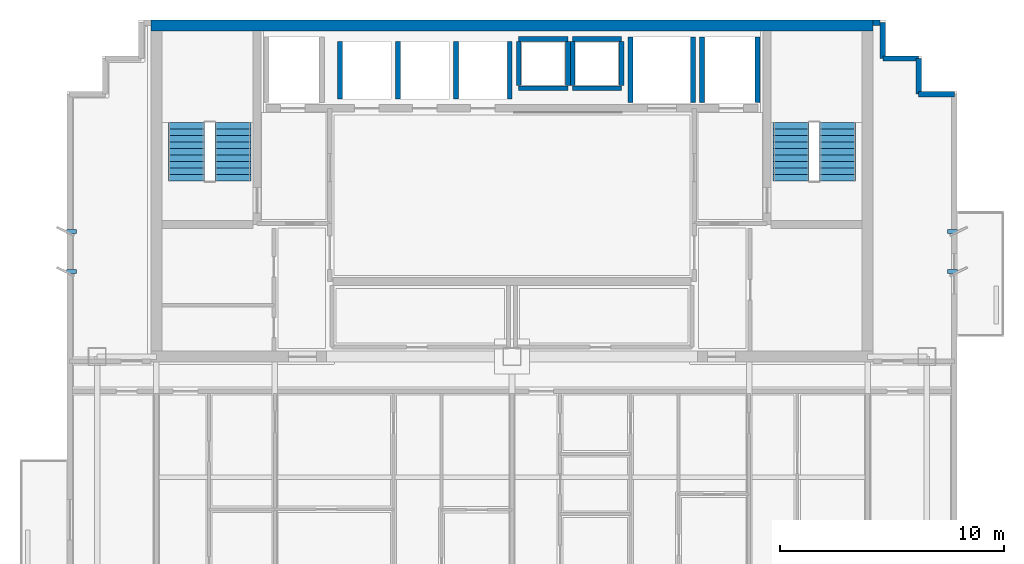
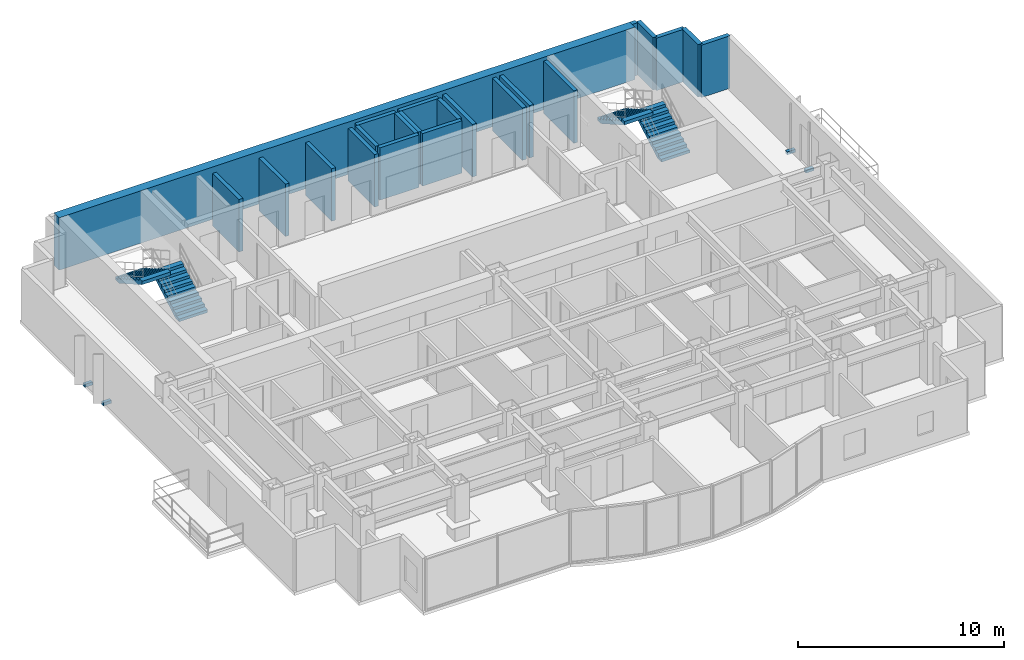
# One storey, part 7 of 9: 22 walls, 4 discrete accessories, 4 stair flights, 2 elements without a shape of their own.
"""IFC4 building model written with IfcOpenShell, lengths in metres."""

import ifcopenshell
import ifcopenshell.guid

model = None  # the IFC model being written
_history = None  # IfcOwnerHistory: only IFC2X3 demands one
_inside = {}  # id of a spatial element -> (the spatial element, [elements in it])
_under = {}  # id of a project, library or spatial element -> (it, [spatial elements below it])
_declared = {}  # id of a project -> (the project, [libraries it declares])
_typed = {}  # id of a type object -> (the type object, [elements of that type])
_made_of = {}  # id of a material, layer set ... -> (it, [elements and type objects made of it])


def new_model(schema):
    """Start an empty IFC model of exactly this schema.

    Asked for "IFC4X3", IfcOpenShell would pick the latest addendum, in which some entities
    have other attributes; the version numbers below select the first issue.
    IFC2X3 requires an IfcOwnerHistory on every rooted entity: one is made here for all.
    """
    global model, _history
    if schema == "IFC4X3":
        model = ifcopenshell.file(schema_version=(4, 3, 0, 0))
    else:
        model = ifcopenshell.file(schema=schema)
    _inside.clear()
    _under.clear()
    _declared.clear()
    _typed.clear()
    _made_of.clear()
    _history = None
    if model.schema == "IFC2X3":
        org = make("IfcOrganization", Name="unknown")
        user = make(
            "IfcPersonAndOrganization",
            ThePerson=make("IfcPerson", FamilyName="unknown"),
            TheOrganization=org,
        )
        app = make(
            "IfcApplication",
            ApplicationDeveloper=org,
            Version="unknown",
            ApplicationFullName="unknown",
            ApplicationIdentifier="unknown",
        )
        _history = make(
            "IfcOwnerHistory",
            OwningUser=user,
            OwningApplication=app,
            ChangeAction="ADDED",
            CreationDate=0,
        )
    return model


def make(cls, **values):
    """One entity of the class cls with the attributes given. An attribute that is None is left unset."""
    return model.create_entity(
        cls, **{name: value for name, value in values.items() if value is not None}
    )


def rooted(cls, **values):
    """An entity with a GlobalId (a new one), such as an element, a storey or a relation."""
    return make(cls, GlobalId=ifcopenshell.guid.new(), OwnerHistory=_history, **values)


def si_unit(unit_type, name, prefix=None):
    """IfcSIUnit, for example si_unit("LENGTHUNIT", "METRE", prefix="MILLI")."""
    return make("IfcSIUnit", UnitType=unit_type, Prefix=prefix, Name=name)


def assignment(units):
    """IfcUnitAssignment: the units of a project."""
    return None if units is None else make("IfcUnitAssignment", Units=units)


def point(xyz):
    """IfcCartesianPoint."""
    return None if xyz is None else make("IfcCartesianPoint", Coordinates=xyz)


def direction(xyz):
    """IfcDirection."""
    return None if xyz is None else make("IfcDirection", DirectionRatios=xyz)


def frame(location, z_axis=None, x_axis=None):
    """IfcAxis2Placement3D, a coordinate frame: its origin and axes. An axis left out is left unset."""
    return make(
        "IfcAxis2Placement3D",
        Location=point(location),
        Axis=direction(z_axis),
        RefDirection=direction(x_axis),
    )


def frame_2d(location, x_axis=None):
    """IfcAxis2Placement2D, a coordinate frame in the plane: its origin and x axis."""
    return make(
        "IfcAxis2Placement2D", Location=point(location), RefDirection=direction(x_axis)
    )


def origin():
    """The frame at (0, 0, 0) with its axes left unset."""
    return frame((0.0, 0.0, 0.0))


def origin_2d():
    """The frame at (0, 0) in the plane with its x axis left unset."""
    return frame_2d((0.0, 0.0))


def place(relative_to, where):
    """IfcLocalPlacement: puts the frame where relative to a parent placement (None: the world)."""
    return make(
        "IfcLocalPlacement", PlacementRelTo=relative_to, RelativePlacement=where
    )


def context(
    kind, dimensions, precision=None, world=None, true_north=None, identifier=None
):
    """IfcGeometricRepresentationContext, for example the 3D "Model" context."""
    return make(
        "IfcGeometricRepresentationContext",
        ContextIdentifier=identifier,
        ContextType=kind,
        CoordinateSpaceDimension=dimensions,
        Precision=precision,
        WorldCoordinateSystem=world,
        TrueNorth=true_north,
    )


def subcontext(parent, identifier, kind, view, scale=None):
    """IfcGeometricRepresentationSubContext, for example "Body" below "Model"."""
    return make(
        "IfcGeometricRepresentationSubContext",
        ContextIdentifier=identifier,
        ContextType=kind,
        ParentContext=parent,
        TargetScale=scale,
        TargetView=view,
    )


def project(units=None, contexts=None):
    """IfcProject with its units and contexts."""
    return rooted(
        "IfcProject",
        Name="project",
        RepresentationContexts=contexts,
        UnitsInContext=assignment(units),
    )


def spatial(cls, under=None, at=None, **own):
    """A site, building, storey or space (cls), placed at a placement, below another one or the project."""
    s = rooted(cls, ObjectPlacement=at, **own)
    if under is not None:
        _under.setdefault(under.id(), (under, []))[1].append(s)
    return s


def polyline(points):
    """IfcPolyline through the points."""
    return make("IfcPolyline", Points=[point(p) for p in points])


def profile(cls, at=None, kind="AREA", **sizes):
    """A parametric profile (cls). Its sizes go by their IFC names, for example OverallWidth=200.0."""
    return make(cls, ProfileType=kind, Position=at, **sizes)


def rectangle(**sizes):
    """IfcRectangleProfileDef."""
    return profile("IfcRectangleProfileDef", **sizes)


def outline(outer, holes=None, kind="AREA"):
    """IfcArbitraryClosedProfileDef: a profile drawn as a closed curve; with holes, ...WithVoids."""
    if holes is None:
        return make("IfcArbitraryClosedProfileDef", ProfileType=kind, OuterCurve=outer)
    return make(
        "IfcArbitraryProfileDefWithVoids",
        ProfileType=kind,
        OuterCurve=outer,
        InnerCurves=holes,
    )


def extrude(swept, where, along, depth):
    """IfcExtrudedAreaSolid: the profile swept, set in the frame where, extruded along a direction by depth."""
    return make(
        "IfcExtrudedAreaSolid",
        SweptArea=swept,
        Position=where,
        ExtrudedDirection=direction(along),
        Depth=depth,
    )


def shape(context_of_items, identifier, shape_type, items):
    """IfcShapeRepresentation: the items that make up one representation, for example the "Body"."""
    return make(
        "IfcShapeRepresentation",
        ContextOfItems=context_of_items,
        RepresentationIdentifier=identifier,
        RepresentationType=shape_type,
        Items=items,
    )


def source(mapping_origin, context_of_items, identifier, shape_type, items):
    """IfcRepresentationMap: a shape defined once, which mapped items show again and again."""
    return make(
        "IfcRepresentationMap",
        MappingOrigin=mapping_origin,
        MappedRepresentation=shape(context_of_items, identifier, shape_type, items),
    )


def transform(
    local_origin,
    x_axis=None,
    y_axis=None,
    z_axis=None,
    scale=None,
    scale2=None,
    scale3=None,
    uniform=True,
):
    """IfcCartesianTransformationOperator3D, or its non-uniform kind. x_axis, y_axis, z_axis: its Axis1, 2, 3."""
    if uniform:
        return make(
            "IfcCartesianTransformationOperator3D",
            Axis1=direction(x_axis),
            Axis2=direction(y_axis),
            LocalOrigin=point(local_origin),
            Scale=scale,
            Axis3=direction(z_axis),
        )
    return make(
        "IfcCartesianTransformationOperator3DnonUniform",
        Axis1=direction(x_axis),
        Axis2=direction(y_axis),
        LocalOrigin=point(local_origin),
        Scale=scale,
        Axis3=direction(z_axis),
        Scale2=scale2,
        Scale3=scale3,
    )


def mapped(mapping_source, mapping_target):
    """IfcMappedItem: shows the shape of a source again, moved by a transform."""
    return make(
        "IfcMappedItem", MappingSource=mapping_source, MappingTarget=mapping_target
    )


def material(Name=None, Category=None):
    """IfcMaterial."""
    return make("IfcMaterial", Name=Name, Category=Category)


def layer(
    of_material, thickness, ventilated=None, Name=None, Category=None, Priority=None
):
    """IfcMaterialLayer: one layer of a wall or slab, of a material (None: an air gap)."""
    return make(
        "IfcMaterialLayer",
        Material=of_material,
        LayerThickness=thickness,
        IsVentilated=ventilated,
        Name=Name,
        Category=Category,
        Priority=Priority,
    )


def layer_set(layers, Name=None):
    """IfcMaterialLayerSet."""
    return make("IfcMaterialLayerSet", MaterialLayers=layers, LayerSetName=Name)


def made_of(thing, what):
    """Note that an element or type object is made of a material, layer set ...; save() writes the relation."""
    if what is not None:
        _made_of.setdefault(what.id(), (what, []))[1].append(thing)
    return thing


def type_object(cls, material=None, **own):
    """A type object (cls), such as IfcWallType, which elements share."""
    return made_of(rooted(cls, **own), material)


def element(
    cls,
    number,
    at=None,
    inside=None,
    cuts=None,
    type_object=None,
    material=None,
    context=None,
    identifier="Body",
    shape_type=None,
    held_by="IfcProductDefinitionShape",
    body=None,
    shapes=None,
    **own,
):
    """One element of the class cls, such as IfcWall. Its Tag is "e" and its number.

    at: its placement. inside: the storey or other place that contains it. cuts: it is an
    opening in that element (IfcRelVoidsElement). A single representation is given by context,
    identifier, shape_type and body (its items); several are given by shapes. held_by: the class
    of the entity that holds the representations. save() writes the other relations.
    """
    e = rooted(cls, Tag="e%d" % number, ObjectPlacement=at, **own)
    if body is not None:
        shapes = [shape(context, identifier, shape_type, body)]
    if shapes is not None:
        e.Representation = make(held_by, Representations=shapes)
    if inside is not None:
        _inside.setdefault(inside.id(), (inside, []))[1].append(e)
    if cuts is not None:
        rooted(
            "IfcRelVoidsElement", RelatingBuildingElement=cuts, RelatedOpeningElement=e
        )
    if type_object is not None:
        _typed.setdefault(type_object.id(), (type_object, []))[1].append(e)
    return made_of(e, material)


def aggregate(whole, parts):
    """IfcRelAggregates: a whole, such as a stair, and the parts it consists of."""
    return rooted("IfcRelAggregates", RelatingObject=whole, RelatedObjects=parts)


def save(model, path):
    """Write the relations noted so far, then the file.

    IfcRelAggregates (storeys below a building ...), IfcRelContainedInSpatialStructure (elements
    in a storey), IfcRelDefinesByType, IfcRelAssociatesMaterial and IfcRelDeclares: one each for
    every whole, place, type object, material and project.
    """
    for whole, parts in _under.values():
        aggregate(whole, parts)
    for where, things in _inside.values():
        rooted(
            "IfcRelContainedInSpatialStructure",
            RelatedElements=things,
            RelatingStructure=where,
        )
    for kind, things in _typed.values():
        rooted("IfcRelDefinesByType", RelatedObjects=things, RelatingType=kind)
    for what, things in _made_of.values():
        rooted("IfcRelAssociatesMaterial", RelatedObjects=things, RelatingMaterial=what)
    for by, libraries in _declared.values():
        rooted("IfcRelDeclares", RelatingContext=by, RelatedDefinitions=libraries)
    model.write(path)


model = new_model("IFC4")

# Units and contexts
model_context = context("Model", 3, precision=1e-05, world=origin(), true_north=direction((0.0, 1.0)))
body_context = subcontext(model_context, "Body", "Model", "MODEL_VIEW")
ifc_project = project(units=[si_unit("LENGTHUNIT", "METRE"), si_unit("AREAUNIT", "SQUARE_METRE"), si_unit("VOLUMEUNIT", "CUBIC_METRE"), si_unit("PLANEANGLEUNIT", "RADIAN"), si_unit("MASSUNIT", "GRAM", prefix="KILO")], contexts=[model_context])

# Site, building, storey
site_placement = place(None, origin())
site = spatial("IfcSite", under=ifc_project, at=site_placement, CompositionType="ELEMENT")
building_placement = place(site_placement, origin())
building = spatial("IfcBuilding", under=site, at=building_placement, Name="Qianlan Lanfeng Residences", CompositionType="ELEMENT")
storey_placement = place(building_placement, frame((0.0, 0.0, 213.199951171875)))
storey = spatial("IfcBuildingStorey", under=building, at=storey_placement, Name="L58", CompositionType="ELEMENT", Elevation=213.199951171875)

# Walls
ifc_material_1 = material(Name="Concrete C70", Category="concrete")
ifc_layer_1 = layer(ifc_material_1, 0.5)
ifc_layer_set_1 = layer_set([ifc_layer_1], Name="Concrete C70")
wall_type_1 = type_object("IfcWallType", Name="CW-RC-500", PredefinedType="SHEAR", material=ifc_layer_set_1)
wall_1_placement = place(storey_placement, frame((10.35009765625, 40.0, 0.0), z_axis=(0.0, 0.0, 1.0), x_axis=(1.0, 0.0, 0.0)))
element("IfcWall", 1, at=wall_1_placement, inside=storey, type_object=wall_type_1, Name="L58 Core Shear Wall N", PredefinedType="SHEAR", context=body_context, shape_type="SweptSolid", body=[
    extrude(rectangle(XDim=32.2998046875, YDim=0.5, at=frame_2d((16.14990234375, 0.0))), origin(), (0.0, 0.0, 1.0), 3.110107421875),
])
ifc_material_2 = material(Name="Concrete C42", Category="concrete")
ifc_layer_2 = layer(ifc_material_2, 0.239990234375)
ifc_layer_set_2 = layer_set([ifc_layer_2], Name="Concrete C42")
wall_type_2 = type_object("IfcWallType", Name="EW-240", PredefinedType="SOLIDWALL", material=ifc_layer_set_2)
for number, where, z_axis, x_axis, name in (
    (2, (46.280029296875, 36.929931640625, 0.0), (0.0, 0.0, 1.0), (-1.0, 0.0, 0.0), "L58 Exterior Facade Spandrel Wall 11"),
    (3, (44.679931640625, 36.929931640625, 0.0), (0.0, 0.0, 1.0), (0.0, 1.0, 0.0), "L58 Exterior Facade Spandrel Wall 12"),
):
    element("IfcWall", number, at=place(storey_placement, frame(where, z_axis=z_axis, x_axis=x_axis)), inside=storey, type_object=wall_type_2, Name=name, PredefinedType="SOLIDWALL", context=body_context, shape_type="SweptSolid", body=[
        extrude(rectangle(XDim=1.60009765625, YDim=0.239990234375, at=frame_2d((0.800048828125, 0.0))), origin(), (0.0, 0.0, 1.0), 3.110107421875),
    ])
for number, where, z_axis, x_axis, name in (
    (4, (44.679931640625, 38.530029296875, 0.0), (0.0, 0.0, 1.0), (-1.0, 0.0, 0.0), "L58 Exterior Facade Spandrel Wall 13"),
    (5, (43.080078125, 38.530029296875, 0.0), (0.0, 0.0, 1.0), (0.0, 1.0, 0.0), "L58 Exterior Facade Spandrel Wall 14"),
):
    element("IfcWall", number, at=place(storey_placement, frame(where, z_axis=z_axis, x_axis=x_axis)), inside=storey, type_object=wall_type_2, Name=name, PredefinedType="SOLIDWALL", context=body_context, shape_type="SweptSolid", body=[
        extrude(rectangle(XDim=1.599853515625, YDim=0.239990234375, at=frame_2d((0.7998046875, 0.0))), origin(), (0.0, 0.0, 1.0), 3.110107421875),
    ])
wall_2_placement = place(storey_placement, frame((42.949951171875, 40.1298828125, 0.0), z_axis=(0.0, 0.0, 1.0), x_axis=(-1.0, 0.0, 0.0)))
element("IfcWall", 6, at=wall_2_placement, inside=storey, type_object=wall_type_2, Name="L58 North Wing Exterior Wall E", PredefinedType="SOLIDWALL", context=body_context, shape_type="SweptSolid", body=[
    extrude(rectangle(XDim=0.300048828125, YDim=0.239990234375, at=frame_2d((0.14990234375, 0.0))), origin(), (0.0, 0.0, 1.0), 3.110107421875),
])
ifc_material_3 = material(Name="Concrete C49", Category="concrete")
ifc_layer_3 = layer(ifc_material_3, 0.219970703125)
ifc_layer_set_3 = layer_set([ifc_layer_3], Name="Concrete C49")
wall_type_3 = type_object("IfcWallType", Name="SHW-220", PredefinedType="SOLIDWALL", material=ifc_layer_set_3)
for number, where, z_axis, x_axis, name in (
    (7, (35.0, 36.550048828125, 0.0), (0.0, 0.0, 1.0), (0.0, 1.0, 0.0), "L58 Lift FFL-2 Shaft Wall W"),
    (8, (37.47998046875, 36.550048828125, 0.0), (0.0, 0.0, 1.0), (0.0, 1.0, 0.0), "L58 Lift FFL-2 Shaft Wall E"),
    (9, (31.800048828125, 36.550048828125, 0.0), (0.0, 0.0, 1.0), (0.0, 1.0, 0.0), "L58 Lift SVL-1 Shaft Wall W"),
    (10, (34.60009765625, 36.550048828125, 0.0), (0.0, 0.0, 1.0), (0.0, 1.0, 0.0), "L58 Lift SVL-1 Shaft Wall E"),
):
    element("IfcWall", number, at=place(storey_placement, frame(where, z_axis=z_axis, x_axis=x_axis)), inside=storey, type_object=wall_type_3, Name=name, PredefinedType="SOLIDWALL", context=body_context, shape_type="SweptSolid", body=[
        extrude(rectangle(XDim=2.929931640625, YDim=0.219970703125, at=frame_2d((1.46484375, 0.0))), origin(), (0.0, 0.0, 1.0), 3.110107421875),
    ])
for number, where, z_axis, x_axis, name in (
    (11, (18.800048828125, 36.719970703125, 0.0), (0.0, 0.0, 1.0), (0.0, 1.0, 0.0), "L58 Lift PL-H1 Shaft Wall W"),
    (12, (21.39990234375, 36.719970703125, 0.0), (0.0, 0.0, 1.0), (0.0, 1.0, 0.0), "L58 Lift PL-H2 Shaft Wall W"),
    (13, (24.0, 36.719970703125, 0.0), (0.0, 0.0, 1.0), (0.0, 1.0, 0.0), "L58 Lift PL-H3 Shaft Wall W"),
    (14, (26.39990234375, 36.719970703125, 0.0), (0.0, 0.0, 1.0), (0.0, 1.0, 0.0), "L58 Lift PL-H3 Shaft Wall E"),
):
    element("IfcWall", number, at=place(storey_placement, frame(where, z_axis=z_axis, x_axis=x_axis)), inside=storey, type_object=wall_type_3, Name=name, PredefinedType="SOLIDWALL", context=body_context, shape_type="SweptSolid", body=[
        extrude(rectangle(XDim=2.56005859375, YDim=0.219970703125, at=frame_2d((1.280029296875, 0.0))), origin(), (0.0, 0.0, 1.0), 3.110107421875),
    ])
for number, where, z_axis, x_axis, name in (
    (15, (26.800048828125, 37.31005859375, 0.0), (0.0, 0.0, 1.0), (0.0, 1.0, 0.0), "L58 MEP Riser MEP-R1 Shaft Wall W"),
    (16, (29.0, 37.31005859375, 0.0), (0.0, 0.0, 1.0), (0.0, 1.0, 0.0), "L58 MEP Riser MEP-R1 Shaft Wall E"),
):
    element("IfcWall", number, at=place(storey_placement, frame(where, z_axis=z_axis, x_axis=x_axis)), inside=storey, type_object=wall_type_3, Name=name, PredefinedType="SOLIDWALL", context=body_context, shape_type="SweptSolid", body=[
        extrude(rectangle(XDim=1.97998046875, YDim=0.219970703125, at=frame_2d((0.989990234375, 0.0))), origin(), (0.0, 0.0, 1.0), 3.110107421875),
    ])
for number, where, z_axis, x_axis, name in (
    (17, (26.800048828125, 39.39990234375, 0.0), (0.0, 0.0, 1.0), (1.0, 0.0, 0.0), "L58 MEP Riser MEP-R1 Shaft Wall N"),
    (18, (26.800048828125, 37.199951171875, 0.0), (0.0, 0.0, 1.0), (1.0, 0.0, 0.0), "L58 MEP Riser MEP-R1 Shaft Wall S"),
):
    element("IfcWall", number, at=place(storey_placement, frame(where, z_axis=z_axis, x_axis=x_axis)), inside=storey, type_object=wall_type_3, Name=name, PredefinedType="SOLIDWALL", context=body_context, shape_type="SweptSolid", body=[
        extrude(rectangle(XDim=2.199951171875, YDim=0.219970703125, at=frame_2d((1.10009765625, 0.0))), origin(), (0.0, 0.0, 1.0), 3.110107421875),
    ])
for number, where, z_axis, x_axis, name in (
    (19, (29.199951171875, 37.31005859375, 0.0), (0.0, 0.0, 1.0), (0.0, 1.0, 0.0), "L58 MEP Riser MEP-R2 Shaft Wall W"),
    (20, (31.39990234375, 37.31005859375, 0.0), (0.0, 0.0, 1.0), (0.0, 1.0, 0.0), "L58 MEP Riser MEP-R2 Shaft Wall E"),
):
    element("IfcWall", number, at=place(storey_placement, frame(where, z_axis=z_axis, x_axis=x_axis)), inside=storey, type_object=wall_type_3, Name=name, PredefinedType="SOLIDWALL", context=body_context, shape_type="SweptSolid", body=[
        extrude(rectangle(XDim=1.97998046875, YDim=0.219970703125, at=frame_2d((0.989990234375, 0.0))), origin(), (0.0, 0.0, 1.0), 3.110107421875),
    ])
for number, where, z_axis, x_axis, name in (
    (21, (29.199951171875, 39.39990234375, 0.0), (0.0, 0.0, 1.0), (1.0, 0.0, 0.0), "L58 MEP Riser MEP-R2 Shaft Wall N"),
    (22, (29.199951171875, 37.199951171875, 0.0), (0.0, 0.0, 1.0), (1.0, 0.0, 0.0), "L58 MEP Riser MEP-R2 Shaft Wall S"),
):
    element("IfcWall", number, at=place(storey_placement, frame(where, z_axis=z_axis, x_axis=x_axis)), inside=storey, type_object=wall_type_3, Name=name, PredefinedType="SOLIDWALL", context=body_context, shape_type="SweptSolid", body=[
        extrude(rectangle(XDim=2.199951171875, YDim=0.219970703125, at=frame_2d((1.10009765625, 0.0))), origin(), (0.0, 0.0, 1.0), 3.110107421875),
    ])

# Stair, stair flights
stair_type = type_object("IfcStairType", Name="STR-MAIN", PredefinedType="HALF_TURN_STAIR", material=ifc_material_2)
stair_1_placement = place(storey_placement, origin())
stair_1 = element("IfcStair", 23, at=stair_1_placement, inside=storey, type_object=stair_type, Name="L58 Exit Stair ST-1", PredefinedType="HALF_TURN_STAIR")
stair_flight_type = type_object("IfcStairFlightType", Name="FLT-1720", PredefinedType="STRAIGHT", material=ifc_material_2)
stair_flight_1_placement = place(storey_placement, frame((14.02001953125, 33.050048828125, 0.0), z_axis=(0.0, 0.0, 1.0), x_axis=(0.0, 1.0, 0.0)))
stair_flight_1 = element("IfcStairFlight", 24, at=stair_flight_1_placement, type_object=stair_flight_type, Name="ST-1 flight 1", NumberOfRisers=10, NumberOfTreads=9, PredefinedType="STRAIGHT", RiserHeight=0.165, TreadLength=0.29, context=body_context, shape_type="SweptSolid", body=[
    extrude(outline(polyline([(0.0, 0.0), (0.0, 0.1650390625), (0.2900390625, 0.1650390625), (0.2900390625, 0.330078125), (0.580078125, 0.330078125), (0.580078125, 0.4951171875), (0.8701171875, 0.4951171875), (0.8701171875, 0.659912109375), (1.159912109375, 0.659912109375), (1.159912109375, 0.824951171875), (1.449951171875, 0.824951171875), (1.449951171875, 0.989990234375), (1.739990234375, 0.989990234375), (1.739990234375, 1.155029296875), (2.030029296875, 1.155029296875), (2.030029296875, 1.320068359375), (2.320068359375, 1.320068359375), (2.320068359375, 1.485107421875), (2.610107421875, 1.485107421875), (2.610107421875, 1.64990234375), (2.610107421875, 1.278076171875), (0.36376953125, 0.0), (0.0, 0.0)])), frame((0.0, 0.800048828125, 0.0), z_axis=(0.0, -1.0, 0.0), x_axis=(1.0, 0.0, 0.0)), (0.0, 0.0, 1.0), 1.60009765625),
])
stair_flight_2_placement = place(storey_placement, frame((11.93994140625, 35.659912109375, 1.650146484375), z_axis=(0.0, 0.0, 1.0), x_axis=(0.0, -1.0, 0.0)))
stair_flight_2 = element("IfcStairFlight", 25, at=stair_flight_2_placement, type_object=stair_flight_type, Name="ST-1 flight 2", NumberOfRisers=10, NumberOfTreads=9, PredefinedType="STRAIGHT", RiserHeight=0.165, TreadLength=0.29, context=body_context, shape_type="SweptSolid", body=[
    extrude(outline(polyline([(0.0, 0.0), (0.0, 0.1650390625), (0.2900390625, 0.1650390625), (0.2900390625, 0.330078125), (0.580078125, 0.330078125), (0.580078125, 0.4951171875), (0.8701171875, 0.4951171875), (0.8701171875, 0.659912109375), (1.159912109375, 0.659912109375), (1.159912109375, 0.824951171875), (1.449951171875, 0.824951171875), (1.449951171875, 0.989990234375), (1.739990234375, 0.989990234375), (1.739990234375, 1.155029296875), (2.030029296875, 1.155029296875), (2.030029296875, 1.320068359375), (2.320068359375, 1.320068359375), (2.320068359375, 1.485107421875), (2.610107421875, 1.485107421875), (2.610107421875, 1.64990234375), (2.610107421875, 1.278076171875), (0.36376953125, 0.0), (0.0, 0.0)])), frame((0.0, 0.800048828125, 0.0), z_axis=(0.0, -1.0, 0.0), x_axis=(1.0, 0.0, 0.0)), (0.0, 0.0, 1.0), 1.60009765625),
])
aggregate(stair_1, [stair_flight_1, stair_flight_2])

stair_2_placement = place(storey_placement, origin())
stair_2 = element("IfcStair", 26, at=stair_2_placement, inside=storey, type_object=stair_type, Name="L58 Exit Stair ST-2", PredefinedType="HALF_TURN_STAIR")
stair_flight_3_placement = place(storey_placement, frame((41.06005859375, 33.050048828125, 0.0), z_axis=(0.0, 0.0, 1.0), x_axis=(0.0, 1.0, 0.0)))
stair_flight_3 = element("IfcStairFlight", 27, at=stair_flight_3_placement, type_object=stair_flight_type, Name="ST-2 flight 1", NumberOfRisers=10, NumberOfTreads=9, PredefinedType="STRAIGHT", RiserHeight=0.165, TreadLength=0.29, context=body_context, shape_type="SweptSolid", body=[
    extrude(outline(polyline([(0.0, 0.0), (0.0, 0.1650390625), (0.2900390625, 0.1650390625), (0.2900390625, 0.330078125), (0.580078125, 0.330078125), (0.580078125, 0.4951171875), (0.8701171875, 0.4951171875), (0.8701171875, 0.659912109375), (1.159912109375, 0.659912109375), (1.159912109375, 0.824951171875), (1.449951171875, 0.824951171875), (1.449951171875, 0.989990234375), (1.739990234375, 0.989990234375), (1.739990234375, 1.155029296875), (2.030029296875, 1.155029296875), (2.030029296875, 1.320068359375), (2.320068359375, 1.320068359375), (2.320068359375, 1.485107421875), (2.610107421875, 1.485107421875), (2.610107421875, 1.64990234375), (2.610107421875, 1.278076171875), (0.36376953125, 0.0), (0.0, 0.0)])), frame((0.0, 0.800048828125, 0.0), z_axis=(0.0, -1.0, 0.0), x_axis=(1.0, 0.0, 0.0)), (0.0, 0.0, 1.0), 1.60009765625),
])
stair_flight_4_placement = place(storey_placement, frame((38.97998046875, 35.659912109375, 1.650146484375), z_axis=(0.0, 0.0, 1.0), x_axis=(0.0, -1.0, 0.0)))
stair_flight_4 = element("IfcStairFlight", 28, at=stair_flight_4_placement, type_object=stair_flight_type, Name="ST-2 flight 2", NumberOfRisers=10, NumberOfTreads=9, PredefinedType="STRAIGHT", RiserHeight=0.165, TreadLength=0.29, context=body_context, shape_type="SweptSolid", body=[
    extrude(outline(polyline([(0.0, 0.0), (0.0, 0.1650390625), (0.2900390625, 0.1650390625), (0.2900390625, 0.330078125), (0.580078125, 0.330078125), (0.580078125, 0.4951171875), (0.8701171875, 0.4951171875), (0.8701171875, 0.659912109375), (1.159912109375, 0.659912109375), (1.159912109375, 0.824951171875), (1.449951171875, 0.824951171875), (1.449951171875, 0.989990234375), (1.739990234375, 0.989990234375), (1.739990234375, 1.155029296875), (2.030029296875, 1.155029296875), (2.030029296875, 1.320068359375), (2.320068359375, 1.320068359375), (2.320068359375, 1.485107421875), (2.610107421875, 1.485107421875), (2.610107421875, 1.64990234375), (2.610107421875, 1.278076171875), (0.36376953125, 0.0), (0.0, 0.0)])), frame((0.0, 0.800048828125, 0.0), z_axis=(0.0, -1.0, 0.0), x_axis=(1.0, 0.0, 0.0)), (0.0, 0.0, 1.0), 1.60009765625),
])
aggregate(stair_2, [stair_flight_3, stair_flight_4])

# Discrete accessories
ifc_material_4 = material(Name="Stainless Steel Facade Bracket", Category="steel")
discrete_accessory_type = type_object("IfcDiscreteAccessoryType", Name="BRK-SS-350", PredefinedType="BRACKET", material=ifc_material_4)
shared_shape = source(origin(), body_context, "Body", "SweptSolid", [
    extrude(rectangle(XDim=0.449951171875, YDim=0.179931640625, at=origin_2d()), origin(), (0.0, 0.0, 1.0), 0.179931640625),
])
for number, where, z_axis, x_axis, name in (
    (29, (6.800048828125, 29.0, -0.14990234375), (0.0, 0.0, 1.0), (1.0, 0.0, 0.0), "L58 Raked Solar Fin Support Bracket W1"),
    (30, (6.800048828125, 30.800048828125, -0.14990234375), (0.0, 0.0, 1.0), (1.0, 0.0, 0.0), "L58 Raked Solar Fin Support Bracket W2"),
    (31, (46.199951171875, 29.0, -0.14990234375), (0.0, 0.0, 1.0), (1.0, 0.0, 0.0), "L58 Raked Solar Fin Support Bracket E1"),
    (32, (46.199951171875, 30.800048828125, -0.14990234375), (0.0, 0.0, 1.0), (1.0, 0.0, 0.0), "L58 Raked Solar Fin Support Bracket E2"),
):
    element("IfcDiscreteAccessory", number, at=place(storey_placement, frame(where, z_axis=z_axis, x_axis=x_axis)), inside=storey, type_object=discrete_accessory_type, Name=name, PredefinedType="BRACKET", context=body_context, shape_type="MappedRepresentation", body=[
        mapped(shared_shape, transform((0.0, 0.0, 0.0), scale=1.0)),
    ])

save(model, "model.ifc")
